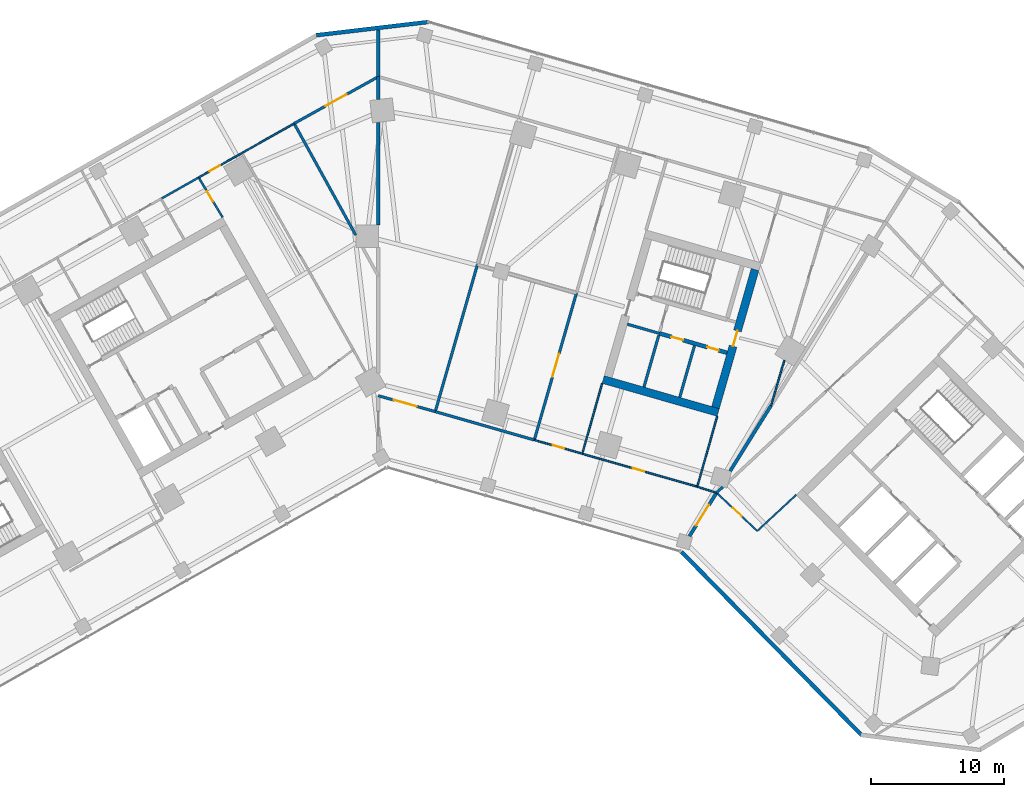
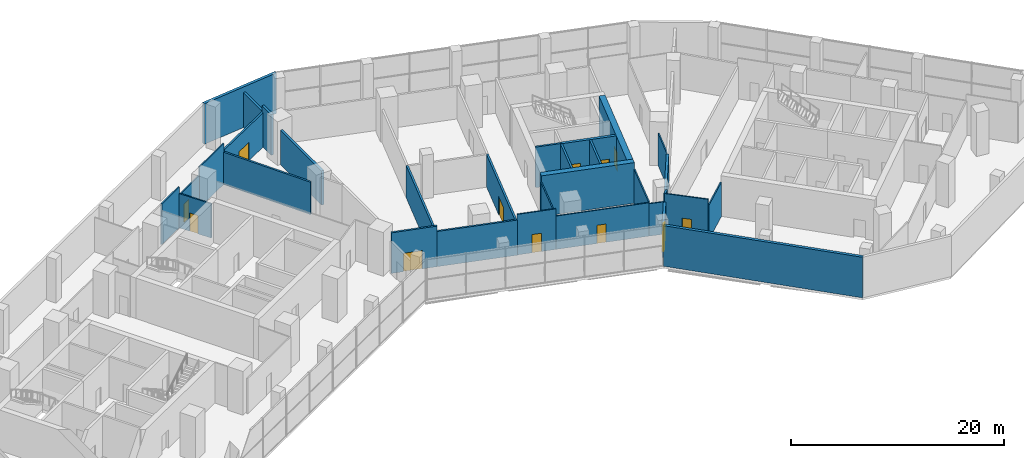
# One storey, part 13 of 18: 32 walls, 12 doors, 12 openings.
"""IFC4 building model written with IfcOpenShell, lengths in metres."""

from ifc_helpers import new_model, si_unit, direction, frame, frame_2d, origin, place, context, subcontext, project, spatial, rectangle, extrude, material, layer, layer_set, type_object, element, fill, save


model = new_model("IFC4")

# Units and contexts
model_context = context("Model", 3, precision=1e-05, world=origin(), true_north=direction((0.0, 1.0)))
body_context = subcontext(model_context, "Body", "Model", "MODEL_VIEW")
ifc_project = project(units=[si_unit("LENGTHUNIT", "METRE"), si_unit("AREAUNIT", "SQUARE_METRE"), si_unit("VOLUMEUNIT", "CUBIC_METRE"), si_unit("PLANEANGLEUNIT", "RADIAN"), si_unit("MASSUNIT", "GRAM", prefix="KILO")], contexts=[model_context])

# Site, building, storey
site_placement = place(None, origin())
site = spatial("IfcSite", under=ifc_project, at=site_placement, CompositionType="ELEMENT")
building_placement = place(site_placement, origin())
building = spatial("IfcBuilding", under=site, at=building_placement, Name="Binnacle Exchange Tower", CompositionType="ELEMENT")
storey_placement = place(building_placement, frame((0.0, 0.0, 11.5)))
storey = spatial("IfcBuildingStorey", under=building, at=storey_placement, Name="L02", CompositionType="ELEMENT", Elevation=11.5)

# Wall
ifc_material_1 = material(Name="Gypsum partition fire rated")
ifc_layer_1 = layer(ifc_material_1, 0.199951171875)
ifc_layer_set_1 = layer_set([ifc_layer_1], Name="Core partition 200")
wall_type_1 = type_object("IfcWallType", Name="Core partition 200", PredefinedType="PARTITIONING", material=ifc_layer_set_1)
wall_1_placement = place(storey_placement, frame((22.664794921875, 47.88330078125, 0.0), z_axis=(0.0, 0.0, 1.0), x_axis=(0.275596769212, 0.961273333033, 0.0)))
element("IfcWall", 1, at=wall_1_placement, inside=storey, type_object=wall_type_1, Name="Core wall CRWD10", PredefinedType="PARTITIONING", context=body_context, shape_type="SweptSolid", body=[
    extrude(rectangle(XDim=4.050048828125, YDim=0.199951171875, at=frame_2d((2.02490234375, 0.0))), origin(), (0.0, 0.0, 1.0), 4.64990234375),
])

# Wall, openings, doors
ifc_material_2 = material(Name="Concrete C70/85", Category="concrete")
ifc_layer_2 = layer(ifc_material_2, 0.300048828125)
ifc_layer_set_2 = layer_set([ifc_layer_2], Name="Core wall - front 300")
wall_type_2 = type_object("IfcWallType", Name="Core wall - front 300", PredefinedType="SOLIDWALL", material=ifc_layer_set_2)
wall_2_placement = place(storey_placement, frame((21.130859375, 52.6923828125, 0.0), z_axis=(0.0, 0.0, 1.0), x_axis=(0.961271492568, -0.275603188616, 0.0)))
wall_2 = element("IfcWall", 2, at=wall_2_placement, inside=storey, type_object=wall_type_2, Name="Core wall CRWD3", PredefinedType="SOLIDWALL", context=body_context, shape_type="SweptSolid", body=[
    extrude(rectangle(XDim=5.300048828125, YDim=0.300048828125, at=frame_2d((2.64990234375, 0.0))), origin(), (0.0, 0.0, 1.0), 4.64990234375),
])
opening_1_placement = place(wall_2_placement, frame((0.949951171875, 0.0, 0.0)))
opening_1 = element("IfcOpeningElement", 3, at=opening_1_placement, cuts=wall_2, Name="Opening DD10", PredefinedType="OPENING", context=body_context, shape_type="SweptSolid", body=[
    extrude(rectangle(XDim=0.89990234375, YDim=2.10009765625, at=frame_2d((0.449951171875, 1.050048828125))), frame((0.0, 0.159912109375, 0.0), z_axis=(0.0, -1.0, 0.0), x_axis=(1.0, 0.0, 0.0)), (0.0, 0.0, 1.0), 0.320068359375),
])
opening_2_placement = place(wall_2_placement, frame((3.75, 0.0, 0.0)))
opening_2 = element("IfcOpeningElement", 4, at=opening_2_placement, cuts=wall_2, Name="Opening DD11", PredefinedType="OPENING", context=body_context, shape_type="SweptSolid", body=[
    extrude(rectangle(XDim=0.89990234375, YDim=2.10009765625, at=frame_2d((0.449951171875, 1.050048828125))), frame((0.0, 0.159912109375, 0.0), z_axis=(0.0, -1.0, 0.0), x_axis=(1.0, 0.0, 0.0)), (0.0, 0.0, 1.0), 0.320068359375),
])
ifc_material_3 = material(Name="Steel door leaf", Category="steel")
door_type_1 = type_object("IfcDoorType", Name="Fire door 900", OperationType="NOTDEFINED", PredefinedType="DOOR", material=ifc_material_3)
door_1_placement = place(opening_1_placement, frame((0.89990234375, 0.0, 0.0), z_axis=(0.0, 0.0, 1.0), x_axis=(-1.0, 0.0, 0.0)))
door_1 = element("IfcDoor", 5, at=door_1_placement, inside=storey, type_object=door_type_1, Name="Core room door IT STORE", OperationType="SINGLE_SWING_RIGHT", OverallHeight=2.10009765625, OverallWidth=0.89990234375, PredefinedType="DOOR", context=body_context, shape_type="SweptSolid", body=[
    extrude(rectangle(XDim=0.89990234375, YDim=2.10009765625, at=frame_2d((0.449951171875, 1.050048828125))), frame((0.0, 0.02490234375, 0.0), z_axis=(0.0, -1.0, 0.0), x_axis=(1.0, 0.0, 0.0)), (0.0, 0.0, 1.0), 0.050048828125),
])
fill(opening_1, door_1)
door_2_placement = place(opening_2_placement, frame((0.89990234375, 0.0, 0.0), z_axis=(0.0, 0.0, 1.0), x_axis=(-1.0, 0.0, 0.0)))
door_2 = element("IfcDoor", 6, at=door_2_placement, inside=storey, type_object=door_type_1, Name="Core room door UPS CUPBOARD", OperationType="SINGLE_SWING_LEFT", OverallHeight=2.10009765625, OverallWidth=0.89990234375, PredefinedType="DOOR", context=body_context, shape_type="SweptSolid", body=[
    extrude(rectangle(XDim=0.89990234375, YDim=2.10009765625, at=frame_2d((0.449951171875, 1.050048828125))), frame((0.0, 0.02490234375, 0.0), z_axis=(0.0, -1.0, 0.0), x_axis=(1.0, 0.0, 0.0)), (0.0, 0.0, 1.0), 0.050048828125),
])
fill(opening_2, door_2)

# Wall
ifc_layer_3 = layer(ifc_material_2, 0.60009765625)
ifc_layer_set_3 = layer_set([ifc_layer_3], Name="Core wall - outer 600")
wall_type_3 = type_object("IfcWallType", Name="Core wall - outer 600", PredefinedType="SOLIDWALL", material=ifc_layer_set_3)
wall_3_placement = place(storey_placement, frame((16.91064453125, 49.22119140625, 0.0), z_axis=(0.0, 0.0, 1.0), x_axis=(0.96126248289, -0.275634611374, 0.0)))
element("IfcWall", 7, at=wall_3_placement, inside=storey, type_object=wall_type_3, Name="Core wall CRWD1", PredefinedType="SOLIDWALL", context=body_context, shape_type="SweptSolid", body=[
    extrude(rectangle(XDim=9.0, YDim=0.60009765625, at=frame_2d((4.5, 0.0))), origin(), (0.0, 0.0, 1.0), 4.64990234375),
])

# Wall, opening, door
wall_4_placement = place(storey_placement, frame((25.356201171875, 47.111572265625, 0.0), z_axis=(0.0, 0.0, 1.0), x_axis=(0.275631631629, 0.961263337304, 0.0)))
wall_4 = element("IfcWall", 8, at=wall_4_placement, inside=storey, type_object=wall_type_3, Name="Core wall CRWD12", PredefinedType="SOLIDWALL", context=body_context, shape_type="SweptSolid", body=[
    extrude(rectangle(XDim=10.800048828125, YDim=0.60009765625, at=frame_2d((5.39990234375, 0.0))), origin(), (0.0, 0.0, 1.0), 4.64990234375),
])
opening_3_placement = place(wall_4_placement, frame((4.800048828125, 0.0, 0.0)))
opening_3 = element("IfcOpeningElement", 9, at=opening_3_placement, cuts=wall_4, Name="Opening DD6", PredefinedType="OPENING", context=body_context, shape_type="SweptSolid", body=[
    extrude(rectangle(XDim=1.199951171875, YDim=2.10009765625, at=frame_2d((0.60009765625, 1.050048828125))), frame((0.0, 0.31005859375, 0.0), z_axis=(0.0, -1.0, 0.0), x_axis=(1.0, 0.0, 0.0)), (0.0, 0.0, 1.0), 0.6201171875),
])
door_type_2 = type_object("IfcDoorType", Name="Fire door 1200", OperationType="NOTDEFINED", PredefinedType="DOOR", material=ifc_material_3)
door_3_placement = place(opening_3_placement, frame((1.199951171875, 0.0, 0.0), z_axis=(0.0, 0.0, 1.0), x_axis=(-1.0, 0.0, 0.0)))
door_3 = element("IfcDoor", 10, at=door_3_placement, inside=storey, type_object=door_type_2, Name="Core passage exit door", OperationType="SINGLE_SWING_LEFT", OverallHeight=2.10009765625, OverallWidth=1.199951171875, PredefinedType="DOOR", context=body_context, shape_type="SweptSolid", body=[
    extrude(rectangle(XDim=1.199951171875, YDim=2.10009765625, at=frame_2d((0.60009765625, 1.050048828125))), frame((0.0, 0.02490234375, 0.0), z_axis=(0.0, -1.0, 0.0), x_axis=(1.0, 0.0, 0.0)), (0.0, 0.0, 1.0), 0.050048828125),
])
fill(opening_3, door_3)

# Walls
ifc_material_4 = material(Name="Bronze aluminium louvre", Category="aluminium")
ifc_layer_4 = layer(ifc_material_4, 0.300048828125)
ifc_layer_set_4 = layer_set([ifc_layer_4], Name="External wall - podium louvre 300")
wall_type_4 = type_object("IfcWallType", Name="External wall - podium louvre 300", PredefinedType="STANDARD", material=ifc_layer_set_4)
wall_5_placement = place(storey_placement, frame((-4.662841796875, 75.1201171875, 0.0), z_axis=(0.0, 0.0, 1.0), x_axis=(0.993069631717, 0.11752747152, 0.0)))
element("IfcWall", 11, at=wall_5_placement, inside=storey, type_object=wall_type_4, Name="External wall EW-P01 L02", PredefinedType="STANDARD", context=body_context, shape_type="SweptSolid", body=[
    extrude(rectangle(XDim=8.462890625, YDim=0.300048828125, at=frame_2d((4.2314453125, 0.0))), origin(), (0.0, 0.0, 1.0), 4.64990234375),
])
wall_6_placement = place(storey_placement, frame((36.37646484375, 22.43994140625, 0.0), z_axis=(0.0, 0.0, 1.0), x_axis=(-0.700917061273, 0.713242787006, 0.0)))
element("IfcWall", 12, at=wall_6_placement, inside=storey, type_object=wall_type_4, Name="External wall EW-P08 L02", PredefinedType="STANDARD", context=body_context, shape_type="SweptSolid", body=[
    extrude(rectangle(XDim=19.391357421875, YDim=0.300048828125, at=frame_2d((9.69580078125, 0.0))), origin(), (0.0, 0.0, 1.0), 4.64990234375),
])
ifc_material_5 = material(Name="Masonry block wall", Category="masonry")
ifc_layer_5 = layer(ifc_material_5, 0.199951171875)
ifc_layer_set_5 = layer_set([ifc_layer_5], Name="Fire wall - block 200")
wall_type_5 = type_object("IfcWallType", Name="Fire wall - block 200", PredefinedType="PARTITIONING", material=ifc_layer_set_5)
wall_7_placement = place(storey_placement, frame((-6.3369140625, 68.47802734375, 0.0), z_axis=(0.0, 0.0, 1.0), x_axis=(0.483322867171, -0.875442177456, 0.0)))
element("IfcWall", 13, at=wall_7_placement, inside=storey, type_object=wall_type_5, Name="Partition W39", PredefinedType="PARTITIONING", context=body_context, shape_type="SweptSolid", body=[
    extrude(rectangle(XDim=9.593994140625, YDim=0.199951171875, at=frame_2d((4.796875, 0.0))), origin(), (0.0, 0.0, 1.0), 3.7119140625),
])

# Wall, opening, door
wall_8_placement = place(storey_placement, frame((-6.3369140625, 68.47802734375, 0.0), z_axis=(0.0, 0.0, 1.0), x_axis=(0.87407148623, 0.485797320864, 0.0)))
wall_8 = element("IfcWall", 14, at=wall_8_placement, inside=storey, type_object=wall_type_5, Name="Partition W40", PredefinedType="PARTITIONING", context=body_context, shape_type="SweptSolid", body=[
    extrude(rectangle(XDim=7.25, YDim=0.199951171875, at=frame_2d((3.625, 0.0))), origin(), (0.0, 0.0, 1.0), 3.929931640625),
])
opening_4_placement = place(wall_8_placement, frame((2.699951171875, 0.0, 0.0)))
opening_4 = element("IfcOpeningElement", 15, at=opening_4_placement, cuts=wall_8, Name="Opening DL01-11", PredefinedType="OPENING", context=body_context, shape_type="SweptSolid", body=[
    extrude(rectangle(XDim=1.800048828125, YDim=2.10009765625, at=frame_2d((0.89990234375, 1.050048828125))), frame((0.0, 0.10986328125, 0.0), z_axis=(0.0, -1.0, 0.0), x_axis=(1.0, 0.0, 0.0)), (0.0, 0.0, 1.0), 0.219970703125),
])
door_type_3 = type_object("IfcDoorType", Name="Fire door 1800", OperationType="NOTDEFINED", PredefinedType="DOOR", material=ifc_material_3)
door_4_placement = place(opening_4_placement, frame((1.800048828125, 0.0, 0.0), z_axis=(0.0, 0.0, 1.0), x_axis=(-1.0, 0.0, 0.0)))
door_4 = element("IfcDoor", 16, at=door_4_placement, inside=storey, type_object=door_type_3, Name="Door DL01-11", OperationType="DOUBLE_DOOR_SINGLE_SWING", OverallHeight=2.10009765625, OverallWidth=1.800048828125, PredefinedType="DOOR", context=body_context, shape_type="SweptSolid", body=[
    extrude(rectangle(XDim=1.800048828125, YDim=2.10009765625, at=frame_2d((0.89990234375, 1.050048828125))), frame((0.0, 0.02490234375, 0.0), z_axis=(0.0, -1.0, 0.0), x_axis=(1.0, 0.0, 0.0)), (0.0, 0.0, 1.0), 0.050048828125),
])
fill(opening_4, door_4)

wall_9_placement = place(storey_placement, frame((0.0, 48.0, 0.0), z_axis=(0.0, 0.0, 1.0), x_axis=(0.963400508162, -0.268066150181, 0.0)))
wall_9 = element("IfcWall", 17, at=wall_9_placement, inside=storey, type_object=wall_type_5, Name="Partition W45", PredefinedType="PARTITIONING", context=body_context, shape_type="SweptSolid", body=[
    extrude(rectangle(XDim=4.442626953125, YDim=0.199951171875, at=frame_2d((2.22119140625, 0.0))), origin(), (0.0, 0.0, 1.0), 4.64990234375),
])
opening_5_placement = place(wall_9_placement, frame((1.199951171875, 0.0, 0.0)))
opening_5 = element("IfcOpeningElement", 18, at=opening_5_placement, cuts=wall_9, Name="Opening DL01-19", PredefinedType="OPENING", context=body_context, shape_type="SweptSolid", body=[
    extrude(rectangle(XDim=1.800048828125, YDim=2.10009765625, at=frame_2d((0.89990234375, 1.050048828125))), frame((0.0, 0.10986328125, 0.0), z_axis=(0.0, -1.0, 0.0), x_axis=(1.0, 0.0, 0.0)), (0.0, 0.0, 1.0), 0.219970703125),
])
door_5_placement = place(opening_5_placement, origin())
door_5 = element("IfcDoor", 19, at=door_5_placement, inside=storey, type_object=door_type_3, Name="Door DL01-19", OperationType="DOUBLE_DOOR_SINGLE_SWING", OverallHeight=2.10009765625, OverallWidth=1.800048828125, PredefinedType="DOOR", context=body_context, shape_type="SweptSolid", body=[
    extrude(rectangle(XDim=1.800048828125, YDim=2.10009765625, at=frame_2d((0.89990234375, 1.050048828125))), frame((0.0, 0.02490234375, 0.0), z_axis=(0.0, -1.0, 0.0), x_axis=(1.0, 0.0, 0.0)), (0.0, 0.0, 1.0), 0.050048828125),
])
fill(opening_5, door_5)

# Walls
wall_10_placement = place(storey_placement, frame((4.280029296875, 46.80908203125, 0.0), z_axis=(0.0, 0.0, 1.0), x_axis=(0.275635044812, 0.961262358605, 0.0)))
element("IfcWall", 20, at=wall_10_placement, inside=storey, type_object=wall_type_5, Name="Partition W52", PredefinedType="PARTITIONING", context=body_context, shape_type="SweptSolid", body=[
    extrude(rectangle(XDim=11.50048828125, YDim=0.199951171875, at=frame_2d((5.750244140625, 0.0))), origin(), (0.0, 0.0, 1.0), 3.7119140625),
])
wall_11_placement = place(storey_placement, frame((4.280029296875, 46.80908203125, 0.0), z_axis=(0.0, 0.0, 1.0), x_axis=(0.961270337968, -0.275607215693, 0.0)))
element("IfcWall", 21, at=wall_11_placement, inside=storey, type_object=wall_type_5, Name="Partition W53", PredefinedType="PARTITIONING", context=body_context, shape_type="SweptSolid", body=[
    extrude(rectangle(XDim=7.75, YDim=0.199951171875, at=frame_2d((3.875, 0.0))), origin(), (0.0, 0.0, 1.0), 4.030029296875),
])

# Wall, opening, door
wall_12_placement = place(storey_placement, frame((11.72998046875, 44.673095703125, 0.0), z_axis=(0.0, 0.0, 1.0), x_axis=(0.275635044812, 0.961262358605, 0.0)))
wall_12 = element("IfcWall", 22, at=wall_12_placement, inside=storey, type_object=wall_type_5, Name="Partition W58", PredefinedType="PARTITIONING", context=body_context, shape_type="SweptSolid", body=[
    extrude(rectangle(XDim=11.50048828125, YDim=0.199951171875, at=frame_2d((5.750244140625, 0.0))), origin(), (0.0, 0.0, 1.0), 3.7119140625),
])
opening_6_placement = place(wall_12_placement, frame((4.949951171875, 0.0, 0.0)))
opening_6 = element("IfcOpeningElement", 23, at=opening_6_placement, cuts=wall_12, Name="Opening DL01-21", PredefinedType="OPENING", context=body_context, shape_type="SweptSolid", body=[
    extrude(rectangle(XDim=1.800048828125, YDim=2.10009765625, at=frame_2d((0.89990234375, 1.050048828125))), frame((0.0, 0.10986328125, 0.0), z_axis=(0.0, -1.0, 0.0), x_axis=(1.0, 0.0, 0.0)), (0.0, 0.0, 1.0), 0.219970703125),
])
door_6_placement = place(opening_6_placement, origin())
door_6 = element("IfcDoor", 24, at=door_6_placement, inside=storey, type_object=door_type_3, Name="Door DL01-21", OperationType="DOUBLE_DOOR_SINGLE_SWING", OverallHeight=2.10009765625, OverallWidth=1.800048828125, PredefinedType="DOOR", context=body_context, shape_type="SweptSolid", body=[
    extrude(rectangle(XDim=1.800048828125, YDim=2.10009765625, at=frame_2d((0.89990234375, 1.050048828125))), frame((0.0, 0.02490234375, 0.0), z_axis=(0.0, -1.0, 0.0), x_axis=(1.0, 0.0, 0.0)), (0.0, 0.0, 1.0), 0.050048828125),
])
fill(opening_6, door_6)

# Walls
wall_13_placement = place(storey_placement, frame((25.43603515625, 40.7060546875, 0.0), z_axis=(0.0, 0.0, 1.0), x_axis=(0.733725630695, 0.679445876329, 0.0)))
element("IfcWall", 25, at=wall_13_placement, inside=storey, type_object=wall_type_5, Name="Partition W69", PredefinedType="PARTITIONING", context=body_context, shape_type="SweptSolid", body=[
    extrude(rectangle(XDim=0.64306640625, YDim=0.199951171875, at=frame_2d((0.321533203125, 0.0))), origin(), (0.0, 0.0, 1.0), 4.64990234375),
])
ifc_material_6 = material(Name="Concrete fire wall C30/37", Category="concrete")
ifc_layer_6 = layer(ifc_material_6, 0.25)
ifc_layer_set_6 = layer_set([ifc_layer_6], Name="Fire wall - compartment 250")
wall_type_6 = type_object("IfcWallType", Name="Fire wall - compartment 250", PredefinedType="PARTITIONING", material=ifc_layer_set_6)
wall_14_placement = place(storey_placement, frame((0.0, 60.85009765625, 0.0), z_axis=(0.0, 0.0, 1.0), x_axis=(0.0, 1.0, 0.0)))
element("IfcWall", 26, at=wall_14_placement, inside=storey, type_object=wall_type_6, Name="Fire Wall W48", PredefinedType="PARTITIONING", context=body_context, shape_type="SweptSolid", body=[
    extrude(rectangle(XDim=7.722900390625, YDim=0.25, at=frame_2d((3.861328125, 0.0))), origin(), (0.0, 0.0, 1.0), 3.929931640625),
])
wall_15_placement = place(storey_placement, frame((0.0, 70.284912109375, 0.0), z_axis=(0.0, 0.0, 1.0), x_axis=(0.0, 1.0, 0.0)))
element("IfcWall", 27, at=wall_15_placement, inside=storey, type_object=wall_type_6, Name="Fire Wall W49", PredefinedType="PARTITIONING", context=body_context, shape_type="SweptSolid", body=[
    extrude(rectangle(XDim=1.715087890625, YDim=0.25, at=frame_2d((0.857421875, 0.0))), origin(), (0.0, 0.0, 1.0), 4.64990234375),
])
wall_16_placement = place(storey_placement, frame((0.0, 72.0, 0.0), z_axis=(0.0, 0.0, 1.0), x_axis=(0.0, 1.0, 0.0)))
element("IfcWall", 28, at=wall_16_placement, inside=storey, type_object=wall_type_6, Name="Fire Wall W50", PredefinedType="PARTITIONING", context=body_context, shape_type="SweptSolid", body=[
    extrude(rectangle(XDim=3.52099609375, YDim=0.25, at=frame_2d((1.760498046875, 0.0))), origin(), (0.0, 0.0, 1.0), 4.02392578125),
])

# Wall, opening, door
wall_17_placement = place(storey_placement, frame((23.39697265625, 37.44189453125, 0.0), z_axis=(0.0, 0.0, 1.0), x_axis=(0.529805058875, 0.848119448893, 0.0)))
wall_17 = element("IfcWall", 29, at=wall_17_placement, inside=storey, type_object=wall_type_6, Name="Fire Wall W66", PredefinedType="PARTITIONING", context=body_context, shape_type="SweptSolid", body=[
    extrude(rectangle(XDim=3.8486328125, YDim=0.25, at=frame_2d((1.92431640625, 0.0))), origin(), (0.0, 0.0, 1.0), 3.7119140625),
])
opening_7_placement = place(wall_17_placement, frame((0.949951171875, 0.0, 0.0)))
opening_7 = element("IfcOpeningElement", 30, at=opening_7_placement, cuts=wall_17, Name="Opening DL01-33", PredefinedType="OPENING", context=body_context, shape_type="SweptSolid", body=[
    extrude(rectangle(XDim=1.800048828125, YDim=2.10009765625, at=frame_2d((0.89990234375, 1.050048828125))), frame((0.0, 0.135009765625, 0.0), z_axis=(0.0, -1.0, 0.0), x_axis=(1.0, 0.0, 0.0)), (0.0, 0.0, 1.0), 0.27001953125),
])
door_7_placement = place(opening_7_placement, origin())
door_7 = element("IfcDoor", 31, at=door_7_placement, inside=storey, type_object=door_type_3, Name="Door DL01-33", OperationType="DOUBLE_DOOR_SINGLE_SWING", OverallHeight=2.10009765625, OverallWidth=1.800048828125, PredefinedType="DOOR", context=body_context, shape_type="SweptSolid", body=[
    extrude(rectangle(XDim=1.800048828125, YDim=2.10009765625, at=frame_2d((0.89990234375, 1.050048828125))), frame((0.0, 0.02490234375, 0.0), z_axis=(0.0, -1.0, 0.0), x_axis=(1.0, 0.0, 0.0)), (0.0, 0.0, 1.0), 0.050048828125),
])
fill(opening_7, door_7)

# Walls
wall_18_placement = place(storey_placement, frame((26.4560546875, 42.337890625, 0.0), z_axis=(0.0, 0.0, 1.0), x_axis=(0.529836963461, 0.848099517834, 0.0)))
element("IfcWall", 32, at=wall_18_placement, inside=storey, type_object=wall_type_6, Name="Fire Wall W72", PredefinedType="PARTITIONING", context=body_context, shape_type="SweptSolid", body=[
    extrude(rectangle(XDim=5.826171875, YDim=0.25, at=frame_2d((2.9130859375, 0.0))), origin(), (0.0, 0.0, 1.0), 3.7119140625),
])
ifc_layer_7 = layer(ifc_material_1, 0.14990234375)
ifc_layer_set_7 = layer_set([ifc_layer_7], Name="Fire-rated partition 150")
wall_type_7 = type_object("IfcWallType", Name="Fire-rated partition 150", PredefinedType="PARTITIONING", material=ifc_layer_set_7)
wall_19_placement = place(storey_placement, frame((-16.345947265625, 62.81591796875, 0.0), z_axis=(0.0, 0.0, 1.0), x_axis=(0.870334637055, 0.492460779699, 0.0)))
element("IfcWall", 33, at=wall_19_placement, inside=storey, type_object=wall_type_7, Name="Partition W34", PredefinedType="PARTITIONING", context=body_context, shape_type="SweptSolid", body=[
    extrude(rectangle(XDim=3.249267578125, YDim=0.14990234375, at=frame_2d((1.62451171875, 0.0))), origin(), (0.0, 0.0, 1.0), 4.64990234375),
])

# Wall, opening, door
wall_20_placement = place(storey_placement, frame((-13.51806640625, 64.416015625, 0.0), z_axis=(0.0, 0.0, 1.0), x_axis=(0.514875058642, -0.857265229663, 0.0)))
wall_20 = element("IfcWall", 34, at=wall_20_placement, inside=storey, type_object=wall_type_7, Name="Partition W35", PredefinedType="PARTITIONING", context=body_context, shape_type="SweptSolid", body=[
    extrude(rectangle(XDim=3.501708984375, YDim=0.14990234375, at=frame_2d((1.7509765625, 0.0))), origin(), (0.0, 0.0, 1.0), 3.929931640625),
])
opening_8_placement = place(wall_20_placement, frame((1.199951171875, 0.0, 0.0)))
opening_8 = element("IfcOpeningElement", 35, at=opening_8_placement, cuts=wall_20, Name="Opening DL01-16", PredefinedType="OPENING", context=body_context, shape_type="SweptSolid", body=[
    extrude(rectangle(XDim=0.89990234375, YDim=2.10009765625, at=frame_2d((0.449951171875, 1.050048828125))), frame((0.0, 0.0849609375, 0.0), z_axis=(0.0, -1.0, 0.0), x_axis=(1.0, 0.0, 0.0)), (0.0, 0.0, 1.0), 0.169921875),
])
door_8_placement = place(opening_8_placement, frame((0.89990234375, 0.0, 0.0), z_axis=(0.0, 0.0, 1.0), x_axis=(-1.0, 0.0, 0.0)))
door_8 = element("IfcDoor", 36, at=door_8_placement, inside=storey, type_object=door_type_1, Name="Door DL01-16", OperationType="SINGLE_SWING_RIGHT", OverallHeight=2.10009765625, OverallWidth=0.89990234375, PredefinedType="DOOR", context=body_context, shape_type="SweptSolid", body=[
    extrude(rectangle(XDim=0.89990234375, YDim=2.10009765625, at=frame_2d((0.449951171875, 1.050048828125))), frame((0.0, 0.02490234375, 0.0), z_axis=(0.0, -1.0, 0.0), x_axis=(1.0, 0.0, 0.0)), (0.0, 0.0, 1.0), 0.050048828125),
])
fill(opening_8, door_8)

ifc_material_7 = material(Name="Gypsum partition")
ifc_layer_8 = layer(ifc_material_7, 0.125)
ifc_layer_set_8 = layer_set([ifc_layer_8], Name="Partition 125")
wall_type_8 = type_object("IfcWallType", Name="Partition 125", PredefinedType="PARTITIONING", material=ifc_layer_set_8)
wall_21_placement = place(storey_placement, frame((-13.51806640625, 64.416015625, 0.0), z_axis=(0.0, 0.0, 1.0), x_axis=(0.870338454914, 0.492454032268, 0.0)))
wall_21 = element("IfcWall", 37, at=wall_21_placement, inside=storey, type_object=wall_type_8, Name="Partition W36", PredefinedType="PARTITIONING", context=body_context, shape_type="SweptSolid", body=[
    extrude(rectangle(XDim=3.75048828125, YDim=0.125, at=frame_2d((1.875244140625, 0.0))), origin(), (0.0, 0.0, 1.0), 3.7119140625),
])
opening_9_placement = place(wall_21_placement, frame((0.949951171875, 0.0, 0.0)))
opening_9 = element("IfcOpeningElement", 38, at=opening_9_placement, cuts=wall_21, Name="Opening DL01-06", PredefinedType="OPENING", context=body_context, shape_type="SweptSolid", body=[
    extrude(rectangle(XDim=0.89990234375, YDim=2.10009765625, at=frame_2d((0.449951171875, 1.050048828125))), frame((0.0, 0.072509765625, 0.0), z_axis=(0.0, -1.0, 0.0), x_axis=(1.0, 0.0, 0.0)), (0.0, 0.0, 1.0), 0.14501953125),
])
ifc_material_8 = material(Name="Timber door leaf", Category="wood")
door_type_4 = type_object("IfcDoorType", Name="Door 900", OperationType="NOTDEFINED", PredefinedType="DOOR", material=ifc_material_8)
door_9_placement = place(opening_9_placement, origin())
door_9 = element("IfcDoor", 39, at=door_9_placement, inside=storey, type_object=door_type_4, Name="Door DL01-06", OperationType="SINGLE_SWING_LEFT", OverallHeight=2.10009765625, OverallWidth=0.89990234375, PredefinedType="DOOR", context=body_context, shape_type="SweptSolid", body=[
    extrude(rectangle(XDim=0.89990234375, YDim=2.10009765625, at=frame_2d((0.449951171875, 1.050048828125))), frame((0.0, 0.02490234375, 0.0), z_axis=(0.0, -1.0, 0.0), x_axis=(1.0, 0.0, 0.0)), (0.0, 0.0, 1.0), 0.050048828125),
])
fill(opening_9, door_9)

# Wall
wall_22_placement = place(storey_placement, frame((-10.25390625, 66.262939453125, 0.0), z_axis=(0.0, 0.0, 1.0), x_axis=(0.870454697906, 0.492248533664, 0.0)))
element("IfcWall", 40, at=wall_22_placement, inside=storey, type_object=wall_type_8, Name="Partition W37", PredefinedType="PARTITIONING", context=body_context, shape_type="SweptSolid", body=[
    extrude(rectangle(XDim=4.5, YDim=0.125, at=frame_2d((2.25, 0.0))), origin(), (0.0, 0.0, 1.0), 4.64990234375),
])

# Wall, opening, door
wall_23_placement = place(storey_placement, frame((11.72998046875, 44.673095703125, 0.0), z_axis=(0.0, 0.0, 1.0), x_axis=(0.961228613303, -0.275752702557, 0.0)))
wall_23 = element("IfcWall", 41, at=wall_23_placement, inside=storey, type_object=wall_type_8, Name="Partition W59", PredefinedType="PARTITIONING", context=body_context, shape_type="SweptSolid", body=[
    extrude(rectangle(XDim=3.75048828125, YDim=0.125, at=frame_2d((1.875244140625, 0.0))), origin(), (0.0, 0.0, 1.0), 4.64990234375),
])
opening_10_placement = place(wall_23_placement, frame((1.449951171875, 0.0, 0.0)))
opening_10 = element("IfcOpeningElement", 42, at=opening_10_placement, cuts=wall_23, Name="Opening DL01-17", PredefinedType="OPENING", context=body_context, shape_type="SweptSolid", body=[
    extrude(rectangle(XDim=0.89990234375, YDim=2.10009765625, at=frame_2d((0.449951171875, 1.050048828125))), frame((0.0, 0.072509765625, 0.0), z_axis=(0.0, -1.0, 0.0), x_axis=(1.0, 0.0, 0.0)), (0.0, 0.0, 1.0), 0.14501953125),
])
door_10_placement = place(opening_10_placement, frame((0.89990234375, 0.0, 0.0), z_axis=(0.0, 0.0, 1.0), x_axis=(-1.0, 0.0, 0.0)))
door_10 = element("IfcDoor", 43, at=door_10_placement, inside=storey, type_object=door_type_4, Name="Door DL01-17", OperationType="SINGLE_SWING_LEFT", OverallHeight=2.10009765625, OverallWidth=0.89990234375, PredefinedType="DOOR", context=body_context, shape_type="SweptSolid", body=[
    extrude(rectangle(XDim=0.89990234375, YDim=2.10009765625, at=frame_2d((0.449951171875, 1.050048828125))), frame((0.0, 0.02490234375, 0.0), z_axis=(0.0, -1.0, 0.0), x_axis=(1.0, 0.0, 0.0)), (0.0, 0.0, 1.0), 0.050048828125),
])
fill(opening_10, door_10)

# Wall
wall_24_placement = place(storey_placement, frame((15.3349609375, 43.638916015625, 0.0), z_axis=(0.0, 0.0, 1.0), x_axis=(0.271407455373, 0.962464541252, 0.0)))
element("IfcWall", 44, at=wall_24_placement, inside=storey, type_object=wall_type_8, Name="Partition W61", PredefinedType="PARTITIONING", context=body_context, shape_type="SweptSolid", body=[
    extrude(rectangle(XDim=5.500732421875, YDim=0.125, at=frame_2d((2.75048828125, 0.0))), origin(), (0.0, 0.0, 1.0), 3.929931640625),
])

# Wall, opening, door
wall_25_placement = place(storey_placement, frame((15.3349609375, 43.638916015625, 0.0), z_axis=(0.0, 0.0, 1.0), x_axis=(0.961281982754, -0.275566597455, 0.0)))
wall_25 = element("IfcWall", 45, at=wall_25_placement, inside=storey, type_object=wall_type_8, Name="Partition W62", PredefinedType="PARTITIONING", context=body_context, shape_type="SweptSolid", body=[
    extrude(rectangle(XDim=8.99951171875, YDim=0.125, at=frame_2d((4.499755859375, 0.0))), origin(), (0.0, 0.0, 1.0), 3.822021484375),
])
opening_11_placement = place(wall_25_placement, frame((3.949951171875, 0.0, 0.0)))
opening_11 = element("IfcOpeningElement", 46, at=opening_11_placement, cuts=wall_25, Name="Opening DL01-24", PredefinedType="OPENING", context=body_context, shape_type="SweptSolid", body=[
    extrude(rectangle(XDim=0.89990234375, YDim=2.10009765625, at=frame_2d((0.449951171875, 1.050048828125))), frame((0.0, 0.072509765625, 0.0), z_axis=(0.0, -1.0, 0.0), x_axis=(1.0, 0.0, 0.0)), (0.0, 0.0, 1.0), 0.14501953125),
])
door_11_placement = place(opening_11_placement, origin())
door_11 = element("IfcDoor", 47, at=door_11_placement, inside=storey, type_object=door_type_4, Name="Door DL01-24", OperationType="SINGLE_SWING_LEFT", OverallHeight=2.10009765625, OverallWidth=0.89990234375, PredefinedType="DOOR", context=body_context, shape_type="SweptSolid", body=[
    extrude(rectangle(XDim=0.89990234375, YDim=2.10009765625, at=frame_2d((0.449951171875, 1.050048828125))), frame((0.0, 0.02490234375, 0.0), z_axis=(0.0, -1.0, 0.0), x_axis=(1.0, 0.0, 0.0)), (0.0, 0.0, 1.0), 0.050048828125),
])
fill(opening_11, door_11)

# Walls
wall_26_placement = place(storey_placement, frame((23.986083984375, 41.158935546875, 0.0), z_axis=(0.0, 0.0, 1.0), x_axis=(0.954522865266, -0.298137719325, 0.0)))
element("IfcWall", 48, at=wall_26_placement, inside=storey, type_object=wall_type_8, Name="Partition W67", PredefinedType="PARTITIONING", context=body_context, shape_type="SweptSolid", body=[
    extrude(rectangle(XDim=1.51904296875, YDim=0.125, at=frame_2d((0.759521484375, 0.0))), origin(), (0.0, 0.0, 1.0), 3.7119140625),
])
wall_27_placement = place(storey_placement, frame((23.986083984375, 41.158935546875, 0.0), z_axis=(0.0, 0.0, 1.0), x_axis=(0.271465437068, 0.962448188983, 0.0)))
element("IfcWall", 49, at=wall_27_placement, inside=storey, type_object=wall_type_8, Name="Partition W68", PredefinedType="PARTITIONING", context=body_context, shape_type="SweptSolid", body=[
    extrude(rectangle(XDim=5.49951171875, YDim=0.125, at=frame_2d((2.749755859375, 0.0))), origin(), (0.0, 0.0, 1.0), 3.929931640625),
])

# Wall, opening, door
wall_28_placement = place(storey_placement, frame((25.43603515625, 40.7060546875, 0.0), z_axis=(0.0, 0.0, 1.0), x_axis=(0.729011488135, -0.684501461041, 0.0)))
wall_28 = element("IfcWall", 50, at=wall_28_placement, inside=storey, type_object=wall_type_8, Name="Partition W70", PredefinedType="PARTITIONING", context=body_context, shape_type="SweptSolid", body=[
    extrude(rectangle(XDim=4.20166015625, YDim=0.125, at=frame_2d((2.100830078125, 0.0))), origin(), (0.0, 0.0, 1.0), 4.64990234375),
])
opening_12_placement = place(wall_28_placement, frame((1.699951171875, 0.0, 0.0)))
opening_12 = element("IfcOpeningElement", 51, at=opening_12_placement, cuts=wall_28, Name="Opening DL01-25", PredefinedType="OPENING", context=body_context, shape_type="SweptSolid", body=[
    extrude(rectangle(XDim=0.89990234375, YDim=2.10009765625, at=frame_2d((0.449951171875, 1.050048828125))), frame((0.0, 0.072509765625, 0.0), z_axis=(0.0, -1.0, 0.0), x_axis=(1.0, 0.0, 0.0)), (0.0, 0.0, 1.0), 0.14501953125),
])
door_12_placement = place(opening_12_placement, origin())
door_12 = element("IfcDoor", 52, at=door_12_placement, inside=storey, type_object=door_type_4, Name="Door DL01-25", OperationType="SINGLE_SWING_RIGHT", OverallHeight=2.10009765625, OverallWidth=0.89990234375, PredefinedType="DOOR", context=body_context, shape_type="SweptSolid", body=[
    extrude(rectangle(XDim=0.89990234375, YDim=2.10009765625, at=frame_2d((0.449951171875, 1.050048828125))), frame((0.0, 0.02490234375, 0.0), z_axis=(0.0, -1.0, 0.0), x_axis=(1.0, 0.0, 0.0)), (0.0, 0.0, 1.0), 0.050048828125),
])
fill(opening_12, door_12)

# Walls
wall_29_placement = place(storey_placement, frame((28.4990234375, 37.830078125, 0.0), z_axis=(0.0, 0.0, 1.0), x_axis=(0.732973836409, 0.680256830278, 0.0)))
element("IfcWall", 53, at=wall_29_placement, inside=storey, type_object=wall_type_8, Name="Partition W73", PredefinedType="PARTITIONING", context=body_context, shape_type="SweptSolid", body=[
    extrude(rectangle(XDim=4.001220703125, YDim=0.125, at=frame_2d((2.00048828125, 0.0))), origin(), (0.0, 0.0, 1.0), 3.929931640625),
])
wall_30_placement = place(storey_placement, frame((29.54296875, 47.279052734375, 0.0), z_axis=(0.0, 0.0, 1.0), x_axis=(0.28156355079, 0.959542582102, 0.0)))
element("IfcWall", 54, at=wall_30_placement, inside=storey, type_object=wall_type_8, Name="Partition W75", PredefinedType="PARTITIONING", context=body_context, shape_type="SweptSolid", body=[
    extrude(rectangle(XDim=3.53076171875, YDim=0.125, at=frame_2d((1.765380859375, 0.0))), origin(), (0.0, 0.0, 1.0), 3.7119140625),
])
ifc_layer_9 = layer(ifc_material_5, 0.199951171875)
ifc_layer_set_9 = layer_set([ifc_layer_9], Name="Riser wall 200")
wall_type_9 = type_object("IfcWallType", Name="Riser wall 200", PredefinedType="SOLIDWALL", material=ifc_layer_set_9)
wall_31_placement = place(storey_placement, frame((18.727783203125, 53.381591796875, 0.0), z_axis=(0.0, 0.0, 1.0), x_axis=(0.961247070632, -0.275688355216, 0.0)))
element("IfcWall", 55, at=wall_31_placement, inside=storey, type_object=wall_type_9, Name="Core wall CRWD2", PredefinedType="SOLIDWALL", context=body_context, shape_type="SweptSolid", body=[
    extrude(rectangle(XDim=2.5, YDim=0.199951171875, at=frame_2d((1.25, 0.0))), origin(), (0.0, 0.0, 1.0), 4.64990234375),
])
wall_32_placement = place(storey_placement, frame((19.97314453125, 48.6552734375, 0.0), z_axis=(0.0, 0.0, 1.0), x_axis=(0.275668441653, 0.961252781674, 0.0)))
element("IfcWall", 56, at=wall_32_placement, inside=storey, type_object=wall_type_9, Name="Core wall CRWD8", PredefinedType="SOLIDWALL", context=body_context, shape_type="SweptSolid", body=[
    extrude(rectangle(XDim=4.050048828125, YDim=0.199951171875, at=frame_2d((2.02490234375, 0.0))), origin(), (0.0, 0.0, 1.0), 4.64990234375),
])

save(model, "model.ifc")
